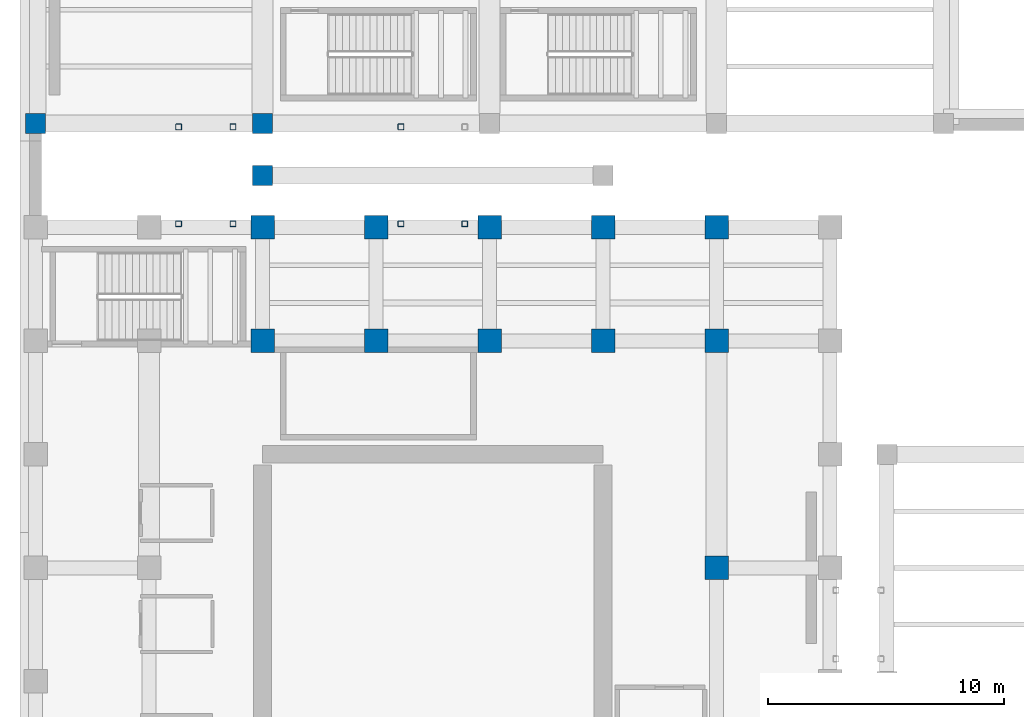
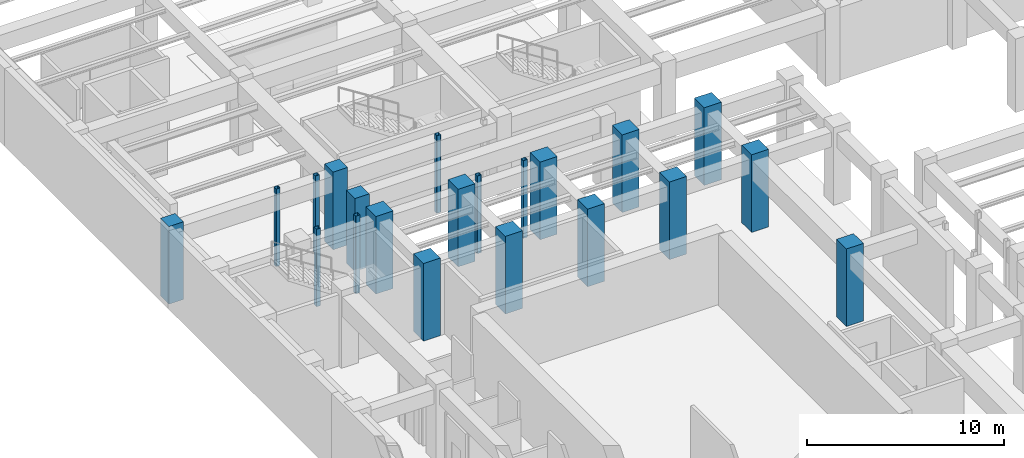
# One storey, part 7 of 45: 21 columns.
"""IFC4 building model written with IfcOpenShell, lengths in metres."""

from ifc_helpers import new_model, si_unit, direction, frame, origin, origin_2d, place, context, subcontext, project, spatial, rectangle, hollow_rectangle, extrude, material, material_profile, profile_set, type_object, element, save


model = new_model("IFC4")

# Units and contexts
model_context = context("Model", 3, precision=1e-05, world=origin(), true_north=direction((0.0, 1.0)))
body_context = subcontext(model_context, "Body", "Model", "MODEL_VIEW")
ifc_project = project(units=[si_unit("LENGTHUNIT", "METRE"), si_unit("AREAUNIT", "SQUARE_METRE"), si_unit("VOLUMEUNIT", "CUBIC_METRE"), si_unit("PLANEANGLEUNIT", "RADIAN"), si_unit("MASSUNIT", "GRAM", prefix="KILO")], contexts=[model_context])

# Site, building, storey
site_placement = place(None, origin())
site = spatial("IfcSite", under=ifc_project, at=site_placement, CompositionType="ELEMENT")
building_placement = place(site_placement, origin())
building = spatial("IfcBuilding", under=site, at=building_placement, Name="Mavantir Sound Aquarium", CompositionType="ELEMENT")
storey_placement = place(building_placement, frame((0.0, 0.0, -4.800048828125)))
storey = spatial("IfcBuildingStorey", under=building, at=storey_placement, Name="B1", CompositionType="ELEMENT", Elevation=-4.800048828125)

# Columns
ifc_material_1 = material(Name="Concrete C40/50", Category="concrete")
ifc_material_profile_1 = material_profile(ifc_material_1, rectangle(XDim=1.0, YDim=1.0, at=origin_2d()), Name="RC 1000X1000")
ifc_profile_set_1 = profile_set([ifc_material_profile_1], Name="Concrete C40/50")
column_type_1 = type_object("IfcColumnType", Name="COL-RC1000-I", PredefinedType="COLUMN", material=ifc_profile_set_1)
for number, where, z_axis, x_axis, name in (
    (1, (9.60009765625, 74.39990234375, 0.0), (0.0, 0.0, 1.0), (1.0, 0.0, 0.0), "B1 column RC-C10 (V1)"),
    (2, (9.60009765625, 79.199951171875, 0.0), (0.0, 0.0, 1.0), (1.0, 0.0, 0.0), "B1 column RC-C10 (V1)"),
    (3, (14.39990234375, 74.39990234375, 0.0), (0.0, 0.0, 1.0), (1.0, 0.0, 0.0), "B1 column RC-C10 (V1)"),
    (4, (14.39990234375, 79.199951171875, 0.0), (0.0, 0.0, 1.0), (1.0, 0.0, 0.0), "B1 column RC-C10 (V1)"),
    (5, (19.199951171875, 74.39990234375, 0.0), (0.0, 0.0, 1.0), (1.0, 0.0, 0.0), "B1 column RC-C10 (V1)"),
    (6, (19.199951171875, 79.199951171875, 0.0), (0.0, 0.0, 1.0), (1.0, 0.0, 0.0), "B1 column RC-C10 (V1)"),
    (7, (24.0, 74.39990234375, 0.0), (0.0, 0.0, 1.0), (1.0, 0.0, 0.0), "B1 column RC-C10 (V1)"),
    (8, (24.0, 79.199951171875, 0.0), (0.0, 0.0, 1.0), (1.0, 0.0, 0.0), "B1 column RC-C10 (V1)"),
    (9, (28.800048828125, 64.800048828125, 0.0), (0.0, 0.0, 1.0), (1.0, 0.0, 0.0), "B1 column RC-C10 (V1)"),
    (10, (28.800048828125, 74.39990234375, 0.0), (0.0, 0.0, 1.0), (1.0, 0.0, 0.0), "B1 column RC-C10 (V1)"),
    (11, (28.800048828125, 79.199951171875, 0.0), (0.0, 0.0, 1.0), (1.0, 0.0, 0.0), "B1 column RC-C10 (V1)"),
):
    element("IfcColumn", number, at=place(storey_placement, frame(where, z_axis=z_axis, x_axis=x_axis)), inside=storey, type_object=column_type_1, Name=name, PredefinedType="COLUMN", context=body_context, shape_type="SweptSolid", body=[
        extrude(rectangle(XDim=1.0, YDim=1.0, at=origin_2d()), origin(), (0.0, 0.0, 1.0), 4.800048828125),
    ])
ifc_material_profile_2 = material_profile(ifc_material_1, rectangle(XDim=0.85009765625, YDim=0.85009765625, at=origin_2d()), Name="RC 850X850")
ifc_profile_set_2 = profile_set([ifc_material_profile_2], Name="Concrete C40/50")
column_type_2 = type_object("IfcColumnType", Name="COL-RC850-E", PredefinedType="COLUMN", material=ifc_profile_set_2)
column_1_placement = place(storey_placement, frame((0.0, 83.60009765625, 0.0), z_axis=(0.0, 0.0, 1.0), x_axis=(1.0, 0.0, 0.0)))
element("IfcColumn", 12, at=column_1_placement, inside=storey, type_object=column_type_2, Name="B1 column RC-C85 (V5)", PredefinedType="COLUMN", context=body_context, shape_type="SweptSolid", body=[
    extrude(rectangle(XDim=0.85009765625, YDim=0.85009765625, at=origin_2d()), origin(), (0.0, 0.0, 1.0), 4.800048828125),
])
ifc_material_profile_3 = material_profile(ifc_material_1, rectangle(XDim=0.85009765625, YDim=0.85009765625, at=origin_2d()), Name="RC 850X850")
ifc_profile_set_3 = profile_set([ifc_material_profile_3], Name="Concrete C40/50")
column_type_3 = type_object("IfcColumnType", Name="COL-RC850-I", PredefinedType="COLUMN", material=ifc_profile_set_3)
column_2_placement = place(storey_placement, frame((9.60009765625, 83.60009765625, 0.0), z_axis=(0.0, 0.0, 1.0), x_axis=(1.0, 0.0, 0.0)))
element("IfcColumn", 13, at=column_2_placement, inside=storey, type_object=column_type_3, Name="B1 column RC-C85 (V5)", PredefinedType="COLUMN", context=body_context, shape_type="SweptSolid", body=[
    extrude(rectangle(XDim=0.85009765625, YDim=0.85009765625, at=origin_2d()), origin(), (0.0, 0.0, 1.0), 4.800048828125),
])
column_3_placement = place(storey_placement, frame((9.60009765625, 81.39990234375, 0.0), z_axis=(0.0, 0.0, 1.0), x_axis=(1.0, 0.0, 0.0)))
element("IfcColumn", 14, at=column_3_placement, inside=storey, type_object=column_type_3, Name="B1 column RC-C85 (COURT)", PredefinedType="COLUMN", context=body_context, shape_type="SweptSolid", body=[
    extrude(rectangle(XDim=0.85009765625, YDim=0.85009765625, at=origin_2d()), origin(), (0.0, 0.0, 1.0), 4.5),
])
ifc_material_2 = material(Name="Hollow Structural Steel ASTM A500 GrC", Category="steel")
ifc_material_profile_4 = material_profile(ifc_material_2, hollow_rectangle(XDim=0.25, YDim=0.25, WallThickness=0.012451171875, InnerFilletRadius=0.012451171875, OuterFilletRadius=0.02490234375, at=origin_2d()), Name="SHS 250X250X12.5")
ifc_profile_set_4 = profile_set([ifc_material_profile_4], Name="Hollow Structural Steel ASTM A500 GrC")
column_type_4 = type_object("IfcColumnType", Name="COL-SHS250-E", PredefinedType="COLUMN", material=ifc_profile_set_4)
for number, where, z_axis, x_axis, name in (
    (15, (15.449951171875, 79.35009765625, 0.0), (0.0, 0.0, 1.0), (1.0, 0.0, 0.0), "Bridge support column 3.1 (B1)"),
    (16, (15.449951171875, 83.449951171875, 0.0), (0.0, 0.0, 1.0), (1.0, 0.0, 0.0), "Bridge support column 3.2 (B1)"),
    (17, (18.14990234375, 79.35009765625, 0.0), (0.0, 0.0, 1.0), (1.0, 0.0, 0.0), "Bridge support column 3.3 (B1)"),
    (18, (6.050048828125, 79.35009765625, 0.0), (0.0, 0.0, 1.0), (1.0, 0.0, 0.0), "Bridge support column 5.1 (B1)"),
    (19, (6.050048828125, 83.449951171875, 0.0), (0.0, 0.0, 1.0), (1.0, 0.0, 0.0), "Bridge support column 5.2 (B1)"),
    (20, (8.35009765625, 79.35009765625, 0.0), (0.0, 0.0, 1.0), (1.0, 0.0, 0.0), "Bridge support column 5.3 (B1)"),
    (21, (8.35009765625, 83.449951171875, 0.0), (0.0, 0.0, 1.0), (1.0, 0.0, 0.0), "Bridge support column 5.4 (B1)"),
):
    element("IfcColumn", number, at=place(storey_placement, frame(where, z_axis=z_axis, x_axis=x_axis)), inside=storey, type_object=column_type_4, Name=name, PredefinedType="COLUMN", context=body_context, shape_type="SweptSolid", body=[
        extrude(hollow_rectangle(XDim=0.25, YDim=0.25, WallThickness=0.012451171875, InnerFilletRadius=0.012451171875, OuterFilletRadius=0.02490234375, at=origin_2d()), origin(), (0.0, 0.0, 1.0), 4.800048828125),
    ])

save(model, "model.ifc")
